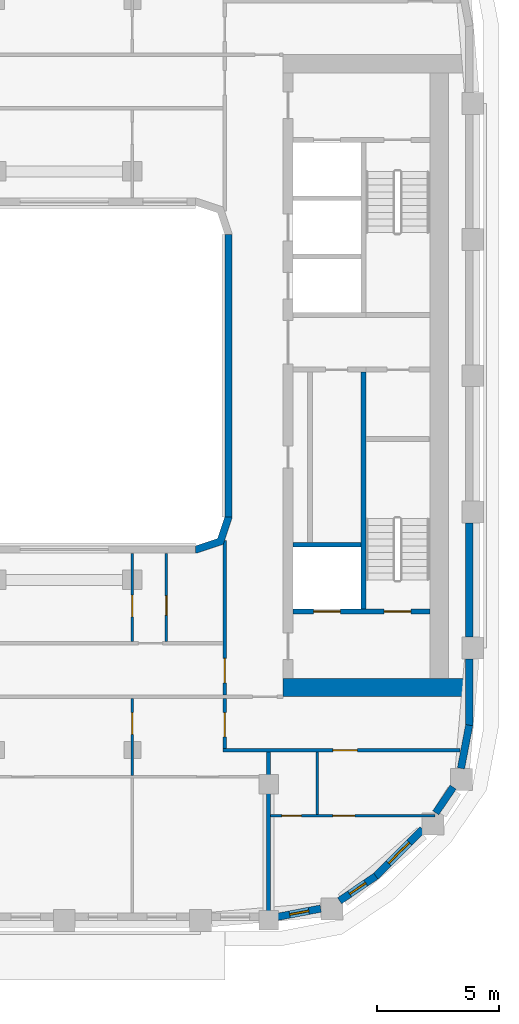
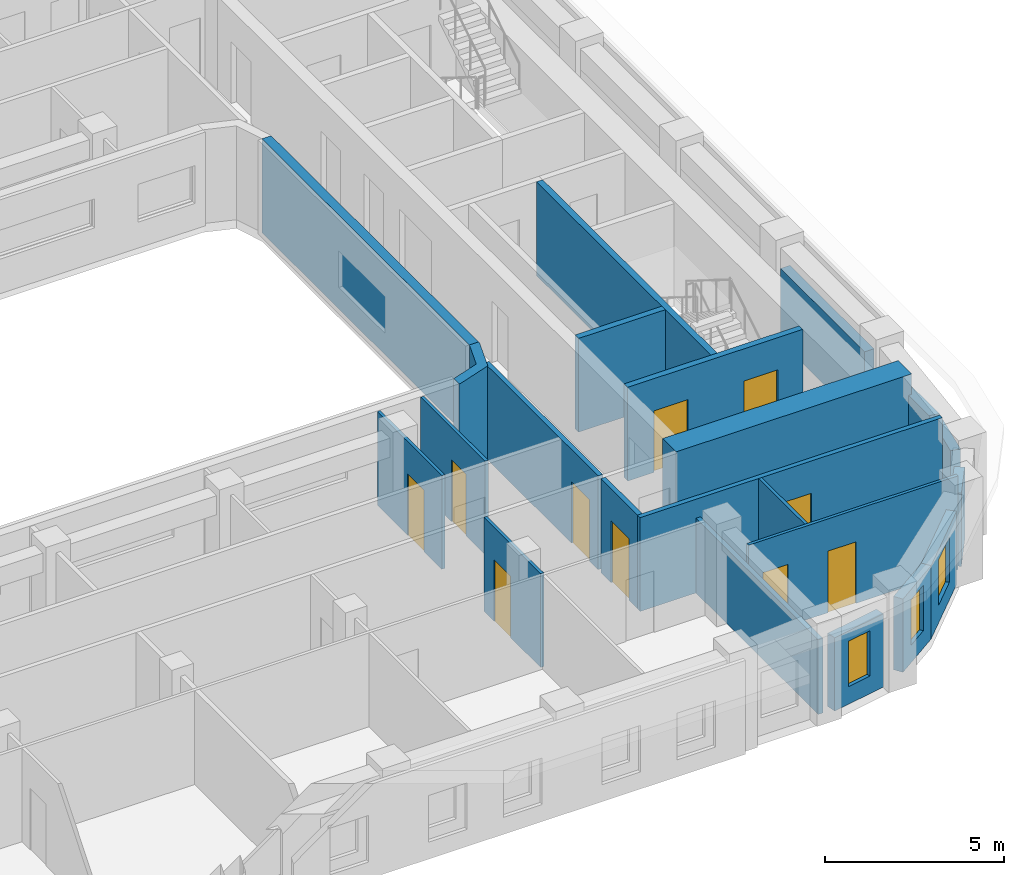
# One storey, part 5 of 20: 22 walls, 10 doors, 3 windows, 13 openings.
"""IFC4 building model written with IfcOpenShell, lengths in metres."""

from ifc_helpers import new_model, si_unit, direction, frame, frame_2d, origin, place, context, subcontext, project, spatial, polyline, rectangle, outline, extrude, material, layer, layer_set, type_object, element, fill, save


model = new_model("IFC4")

# Units and contexts
model_context = context("Model", 3, precision=1e-05, world=origin(), true_north=direction((0.0, 1.0)))
body_context = subcontext(model_context, "Body", "Model", "MODEL_VIEW")
ifc_project = project(units=[si_unit("LENGTHUNIT", "METRE"), si_unit("AREAUNIT", "SQUARE_METRE"), si_unit("VOLUMEUNIT", "CUBIC_METRE"), si_unit("PLANEANGLEUNIT", "RADIAN"), si_unit("MASSUNIT", "GRAM", prefix="KILO")], contexts=[model_context])

# Site, building, storey
site_placement = place(None, origin())
site = spatial("IfcSite", under=ifc_project, at=site_placement, CompositionType="ELEMENT")
building_placement = place(site_placement, origin())
building = spatial("IfcBuilding", under=site, at=building_placement, Name="Kiln Ring Residences", CompositionType="ELEMENT")
storey_placement = place(building_placement, frame((0.0, 0.0, 206.39990234375)))
storey = spatial("IfcBuildingStorey", under=building, at=storey_placement, Name="L53", CompositionType="ELEMENT", Elevation=206.39990234375)

# Walls
ifc_material_1 = material(Name="Gypsum shaft wall system")
ifc_layer_1 = layer(ifc_material_1, 0.199951171875)
ifc_layer_set_1 = layer_set([ifc_layer_1], Name="CORE-SHAFT-WALL-200")
wall_type_1 = type_object("IfcWallType", Name="CORE-SHAFT-WALL-200", PredefinedType="PARTITIONING", material=ifc_layer_set_1)
wall_1_placement = place(storey_placement, frame((17.800048828125, -6.949951171875, 0.0), z_axis=(0.0, 0.0, 1.0), x_axis=(1.0, 0.0, 0.0)))
element("IfcWall", 1, at=wall_1_placement, inside=storey, type_object=wall_type_1, Name="Core partition east L53 3", PredefinedType="PARTITIONING", context=body_context, shape_type="SweptSolid", body=[
    extrude(rectangle(XDim=2.800048828125, YDim=0.199951171875, at=frame_2d((1.39990234375, 0.0))), origin(), (0.0, 0.0, 1.0), 3.2001953125),
])
ifc_material_2 = material(Name="Concrete C40/50", Category="concrete")
ifc_layer_2 = layer(ifc_material_2, 0.199951171875)
ifc_layer_set_2 = layer_set([ifc_layer_2], Name="CORE-WALL-RC200")
wall_type_2 = type_object("IfcWallType", Name="CORE-WALL-RC200", PredefinedType="SHEAR", material=ifc_layer_set_2)
wall_2_placement = place(storey_placement, frame((20.699951171875, -9.60009765625, 0.0), z_axis=(0.0, 0.0, 1.0), x_axis=(0.0, 1.0, 0.0)))
element("IfcWall", 2, at=wall_2_placement, inside=storey, type_object=wall_type_2, Name="Core wall east L53 2", PredefinedType="SHEAR", context=body_context, shape_type="SweptSolid", body=[
    extrude(rectangle(XDim=9.75, YDim=0.199951171875, at=frame_2d((4.875, 0.0))), origin(), (0.0, 0.0, 1.0), 3.2001953125),
])

# Wall, openings, doors
wall_3_placement = place(storey_placement, frame((17.800048828125, -9.699951171875, 0.0), z_axis=(0.0, 0.0, 1.0), x_axis=(1.0, 0.0, 0.0)))
wall_3 = element("IfcWall", 3, at=wall_3_placement, inside=storey, type_object=wall_type_2, Name="Core wall east L53 8", PredefinedType="SHEAR", context=body_context, shape_type="SweptSolid", body=[
    extrude(rectangle(XDim=5.64990234375, YDim=0.199951171875, at=frame_2d((2.824951171875, 0.0))), origin(), (0.0, 0.0, 1.0), 3.2001953125),
])
opening_1_placement = place(wall_3_placement, frame((0.85009765625, 0.0, 0.0)))
opening_1 = element("IfcOpeningElement", 4, at=opening_1_placement, cuts=wall_3, Name="Opening L53-CE01", PredefinedType="OPENING", context=body_context, shape_type="SweptSolid", body=[
    extrude(rectangle(XDim=1.10009765625, YDim=2.10009765625, at=frame_2d((0.550048828125, 1.050048828125))), frame((0.0, 0.10986328125, 0.0), z_axis=(0.0, -1.0, 0.0), x_axis=(1.0, 0.0, 0.0)), (0.0, 0.0, 1.0), 0.219970703125),
])
opening_2_placement = place(wall_3_placement, frame((3.75, 0.0, 0.0)))
opening_2 = element("IfcOpeningElement", 5, at=opening_2_placement, cuts=wall_3, Name="Opening L53-CE10", PredefinedType="OPENING", context=body_context, shape_type="SweptSolid", body=[
    extrude(rectangle(XDim=1.10009765625, YDim=2.10009765625, at=frame_2d((0.550048828125, 1.050048828125))), frame((0.0, 0.10986328125, 0.0), z_axis=(0.0, -1.0, 0.0), x_axis=(1.0, 0.0, 0.0)), (0.0, 0.0, 1.0), 0.219970703125),
])
ifc_material_3 = material(Name="Steel door leaf", Category="steel")
door_type_1 = type_object("IfcDoorType", Name="CORE-DOOR-LD", OperationType="DOUBLE_DOOR_SLIDING", PredefinedType="DOOR", material=ifc_material_3)
door_1_placement = place(opening_1_placement, origin())
door_1 = element("IfcDoor", 6, at=door_1_placement, inside=storey, type_object=door_type_1, Name="LD E-SV L53-CE01", OperationType="DOUBLE_DOOR_SLIDING", OverallHeight=2.10009765625, OverallWidth=1.10009765625, PredefinedType="DOOR", context=body_context, shape_type="SweptSolid", body=[
    extrude(rectangle(XDim=1.10009765625, YDim=2.10009765625, at=frame_2d((0.550048828125, 1.050048828125))), frame((0.0, 0.02490234375, 0.0), z_axis=(0.0, -1.0, 0.0), x_axis=(1.0, 0.0, 0.0)), (0.0, 0.0, 1.0), 0.050048828125),
])
fill(opening_1, door_1)
ifc_material_4 = material(Name="Steel door leaf", Category="steel")
door_type_2 = type_object("IfcDoorType", Name="CORE-DOOR-STAIR", OperationType="SINGLE_SWING_LEFT", PredefinedType="DOOR", material=ifc_material_4)
door_2_placement = place(opening_2_placement, origin())
door_2 = element("IfcDoor", 7, at=door_2_placement, inside=storey, type_object=door_type_2, Name="Stair E-STS L53-CE10", OperationType="SINGLE_SWING_RIGHT", OverallHeight=2.10009765625, OverallWidth=1.10009765625, PredefinedType="DOOR", context=body_context, shape_type="SweptSolid", body=[
    extrude(rectangle(XDim=1.10009765625, YDim=2.10009765625, at=frame_2d((0.550048828125, 1.050048828125))), frame((0.0, 0.02490234375, 0.0), z_axis=(0.0, -1.0, 0.0), x_axis=(1.0, 0.0, 0.0)), (0.0, 0.0, 1.0), 0.050048828125),
])
fill(opening_2, door_2)

# Wall
ifc_material_5 = material(Name="Concrete C60/75", Category="concrete")
ifc_layer_3 = layer(ifc_material_5, 0.75)
ifc_layer_set_3 = layer_set([ifc_layer_3], Name="CORE-WALL-RC750")
wall_type_3 = type_object("IfcWallType", Name="CORE-WALL-RC750", PredefinedType="SHEAR", material=ifc_layer_set_3)
wall_4_placement = place(storey_placement, frame((17.39990234375, -12.824951171875, 0.0), z_axis=(0.0, 0.0, 1.0), x_axis=(1.0, 0.0, 0.0)))
element("IfcWall", 8, at=wall_4_placement, inside=storey, type_object=wall_type_3, Name="Core wall east L53 5", PredefinedType="SHEAR", context=body_context, shape_type="SweptSolid", body=[
    extrude(rectangle(XDim=7.60009765625, YDim=0.75, at=frame_2d((3.800048828125, 0.0))), origin(), (0.0, 0.0, 1.0), 3.2001953125),
])

# Wall, opening, window
ifc_material_6 = material(Name="Brick masonry, dark clay brick", Category="masonry")
ifc_layer_4 = layer(ifc_material_6, 0.300048828125)
ifc_layer_set_4 = layer_set([ifc_layer_4], Name="EW-300 BRICK WALL")
wall_type_4 = type_object("IfcWallType", Name="EW-300 BRICK WALL", PredefinedType="SOLIDWALL", material=ifc_layer_set_4)
wall_5_placement = place(storey_placement, frame((17.178955078125, -22.251220703125, 0.0), z_axis=(0.0, 0.0, 1.0), x_axis=(0.98230529033, 0.187286722942, 0.0)))
wall_5 = element("IfcWall", 9, at=wall_5_placement, inside=storey, type_object=wall_type_4, Name="Facade wall L53 11", PredefinedType="SOLIDWALL", context=body_context, shape_type="SweptSolid", body=[
    extrude(rectangle(XDim=1.798828125, YDim=0.300048828125, at=frame_2d((0.8994140625, 0.0))), origin(), (0.0, 0.0, 1.0), 2.5),
])
opening_3_placement = place(wall_5_placement, frame((0.49951171875, 0.0, 0.60009765625)))
opening_3 = element("IfcOpeningElement", 10, at=opening_3_placement, cuts=wall_5, Name="Opening W5", PredefinedType="OPENING", context=body_context, shape_type="SweptSolid", body=[
    extrude(rectangle(XDim=0.800048828125, YDim=1.550048828125, at=frame_2d((0.39990234375, 0.77490234375))), frame((0.0, 0.159912109375, 0.0), z_axis=(0.0, -1.0, 0.0), x_axis=(1.0, 0.0, 0.0)), (0.0, 0.0, 1.0), 0.320068359375),
])
ifc_material_7 = material(Name="Aluminium frame with double glazing", Category="aluminium")
window_type_1 = type_object("IfcWindowType", Name="WINDOW 800 x 1550", PartitioningType="SINGLE_PANEL", PredefinedType="WINDOW", material=ifc_material_7)
window_1_placement = place(opening_3_placement, origin())
window_1 = element("IfcWindow", 11, at=window_1_placement, inside=storey, type_object=window_type_1, Name="Window L53 14", OverallHeight=1.550048828125, OverallWidth=0.800048828125, PartitioningType="SINGLE_PANEL", PredefinedType="WINDOW", context=body_context, shape_type="SweptSolid", body=[
    extrude(rectangle(XDim=0.800048828125, YDim=1.550048828125, at=frame_2d((0.39990234375, 0.77490234375))), frame((0.0, 0.030029296875, 0.0), z_axis=(0.0, -1.0, 0.0), x_axis=(1.0, 0.0, 0.0)), (0.0, 0.0, 1.0), 0.06005859375),
])
fill(opening_3, window_1)

wall_6_placement = place(storey_placement, frame((19.718994140625, -21.593994140625, 0.0), z_axis=(0.0, 0.0, 1.0), x_axis=(0.827067282455, 0.562102935673, 0.0)))
wall_6 = element("IfcWall", 12, at=wall_6_placement, inside=storey, type_object=wall_type_4, Name="Facade wall L53 12", PredefinedType="SOLIDWALL", context=body_context, shape_type="SweptSolid", body=[
    extrude(rectangle(XDim=1.805908203125, YDim=0.300048828125, at=frame_2d((0.90283203125, 0.0))), origin(), (0.0, 0.0, 1.0), 2.5),
])
opening_4_placement = place(wall_6_placement, frame((0.5029296875, 0.0, 0.60009765625)))
opening_4 = element("IfcOpeningElement", 13, at=opening_4_placement, cuts=wall_6, Name="Opening W5", PredefinedType="OPENING", context=body_context, shape_type="SweptSolid", body=[
    extrude(rectangle(XDim=0.800048828125, YDim=1.550048828125, at=frame_2d((0.39990234375, 0.77490234375))), frame((0.0, 0.159912109375, 0.0), z_axis=(0.0, -1.0, 0.0), x_axis=(1.0, 0.0, 0.0)), (0.0, 0.0, 1.0), 0.320068359375),
])
window_2_placement = place(opening_4_placement, origin())
window_2 = element("IfcWindow", 14, at=window_2_placement, inside=storey, type_object=window_type_1, Name="Window L53 15", OverallHeight=1.550048828125, OverallWidth=0.800048828125, PartitioningType="SINGLE_PANEL", PredefinedType="WINDOW", context=body_context, shape_type="SweptSolid", body=[
    extrude(rectangle(XDim=0.800048828125, YDim=1.550048828125, at=frame_2d((0.39990234375, 0.77490234375))), frame((0.0, 0.030029296875, 0.0), z_axis=(0.0, -1.0, 0.0), x_axis=(1.0, 0.0, 0.0)), (0.0, 0.0, 1.0), 0.06005859375),
])
fill(opening_4, window_2)

wall_7_placement = place(storey_placement, frame((21.19091796875, -20.596923828125, 0.0), z_axis=(0.0, 0.0, 1.0), x_axis=(0.707106781187, 0.707106781187, 0.0)))
wall_7 = element("IfcWall", 15, at=wall_7_placement, inside=storey, type_object=wall_type_4, Name="Facade wall L53 13", PredefinedType="SOLIDWALL", context=body_context, shape_type="SweptSolid", body=[
    extrude(rectangle(XDim=2.75, YDim=0.300048828125, at=frame_2d((1.375, 0.0))), origin(), (0.0, 0.0, 1.0), 2.5),
])
opening_5_placement = place(wall_7_placement, frame((0.77490234375, 0.0, 0.60009765625)))
opening_5 = element("IfcOpeningElement", 16, at=opening_5_placement, cuts=wall_7, Name="Opening W1", PredefinedType="OPENING", context=body_context, shape_type="SweptSolid", body=[
    extrude(rectangle(XDim=1.199951171875, YDim=1.550048828125, at=frame_2d((0.60009765625, 0.77490234375))), frame((0.0, 0.159912109375, 0.0), z_axis=(0.0, -1.0, 0.0), x_axis=(1.0, 0.0, 0.0)), (0.0, 0.0, 1.0), 0.320068359375),
])
ifc_material_8 = material(Name="Aluminium frame with double glazing", Category="aluminium")
window_type_2 = type_object("IfcWindowType", Name="WINDOW 1200 x 1550", PartitioningType="SINGLE_PANEL", PredefinedType="WINDOW", material=ifc_material_8)
window_3_placement = place(opening_5_placement, origin())
window_3 = element("IfcWindow", 17, at=window_3_placement, inside=storey, type_object=window_type_2, Name="Window L53 16", OverallHeight=1.550048828125, OverallWidth=1.199951171875, PartitioningType="SINGLE_PANEL", PredefinedType="WINDOW", context=body_context, shape_type="SweptSolid", body=[
    extrude(rectangle(XDim=1.199951171875, YDim=1.550048828125, at=frame_2d((0.60009765625, 0.77490234375))), frame((0.0, 0.030029296875, 0.0), z_axis=(0.0, -1.0, 0.0), x_axis=(1.0, 0.0, 0.0)), (0.0, 0.0, 1.0), 0.06005859375),
])
fill(opening_5, window_3)

# Walls
wall_8_placement = place(storey_placement, frame((23.67626953125, -17.975341796875, 0.0), z_axis=(0.0, 0.0, 1.0), x_axis=(0.56200149592, 0.827136215253, 0.0)))
element("IfcWall", 18, at=wall_8_placement, inside=storey, type_object=wall_type_4, Name="Facade wall L53 14", PredefinedType="SOLIDWALL", context=body_context, shape_type="SweptSolid", body=[
    extrude(rectangle(XDim=1.277099609375, YDim=0.300048828125, at=frame_2d((0.638671875, 0.0))), origin(), (0.0, 0.0, 1.0), 2.5),
])
wall_9_placement = place(storey_placement, frame((24.71435546875, -16.14599609375, 0.0), z_axis=(0.0, 0.0, 1.0), x_axis=(0.187348135549, 0.982293579388, 0.0)))
element("IfcWall", 19, at=wall_9_placement, inside=storey, type_object=wall_type_4, Name="Facade wall L53 15", PredefinedType="SOLIDWALL", context=body_context, shape_type="SweptSolid", body=[
    extrude(rectangle(XDim=1.80615234375, YDim=0.300048828125, at=frame_2d((0.903076171875, 0.0))), origin(), (0.0, 0.0, 1.0), 2.5),
])
wall_10_placement = place(storey_placement, frame((25.050048828125, -14.39990234375, 0.0), z_axis=(0.0, 0.0, 1.0), x_axis=(0.0, 1.0, 0.0)))
element("IfcWall", 20, at=wall_10_placement, inside=storey, type_object=wall_type_4, Name="Facade wall L53 16", PredefinedType="SOLIDWALL", context=body_context, shape_type="SweptSolid", body=[
    extrude(rectangle(XDim=2.75, YDim=0.300048828125, at=frame_2d((1.375, 0.0))), origin(), (0.0, 0.0, 1.0), 2.5),
])
wall_11_placement = place(storey_placement, frame((25.050048828125, -10.75, 0.0), z_axis=(0.0, 0.0, 1.0), x_axis=(0.0, 1.0, 0.0)))
element("IfcWall", 21, at=wall_11_placement, inside=storey, type_object=wall_type_4, Name="Facade wall L53 17", PredefinedType="SOLIDWALL", context=body_context, shape_type="SweptSolid", body=[
    extrude(rectangle(XDim=4.699951171875, YDim=0.300048828125, at=frame_2d((2.35009765625, 0.0))), origin(), (0.0, 0.0, 1.0), 2.5),
])
wall_12_placement = place(storey_placement, frame((15.14990234375, 5.800048828125, 0.0), z_axis=(0.0, 0.0, 1.0), x_axis=(0.0, -1.0, 0.0)))
element("IfcWall", 22, at=wall_12_placement, inside=storey, type_object=wall_type_4, Name="Facade wall L53 49", PredefinedType="SOLIDWALL", context=body_context, shape_type="SweptSolid", body=[
    extrude(rectangle(XDim=11.60009765625, YDim=0.300048828125, at=frame_2d((5.800048828125, 0.0))), origin(), (0.0, 0.0, 1.0), 3.2001953125),
])
wall_13_placement = place(storey_placement, origin())
element("IfcWall", 23, at=wall_13_placement, inside=storey, type_object=wall_type_4, Name="Corner wall L53 3", PredefinedType="SOLIDWALL", context=body_context, shape_type="SweptSolid", body=[
    extrude(outline(polyline([(14.937255859375, -6.937255859375), (15.300048828125, -5.8486328125), (15.300048828125, -5.800048828125), (15.0, -5.800048828125), (14.699951171875, -6.699951171875), (13.800048828125, -7.0), (13.800048828125, -7.300048828125), (13.8486328125, -7.300048828125), (14.937255859375, -6.937255859375)])), origin(), (0.0, 0.0, 1.0), 3.2001953125),
])

# Wall, openings, doors
ifc_material_9 = material(Name="Gypsum board on steel studs", Category="steel")
ifc_layer_5 = layer(ifc_material_9, 0.10009765625)
ifc_layer_set_5 = layer_set([ifc_layer_5], Name="PARTITION-100")
wall_type_5 = type_object("IfcWallType", Name="PARTITION-100", PredefinedType="PARTITIONING", material=ifc_layer_set_5)
wall_14_placement = place(storey_placement, frame((16.875, -18.10009765625, 0.0), z_axis=(0.0, 0.0, 1.0), x_axis=(1.0, 0.0, 0.0)))
wall_14 = element("IfcWall", 24, at=wall_14_placement, inside=storey, type_object=wall_type_5, Name="Partition 001", PredefinedType="PARTITIONING", context=body_context, shape_type="SweptSolid", body=[
    extrude(rectangle(XDim=6.764892578125, YDim=0.10009765625, at=frame_2d((3.38232421875, 0.0))), origin(), (0.0, 0.0, 1.0), 3.2001953125),
])
opening_6_placement = place(wall_14_placement, frame((0.47509765625, 0.0, 0.0)))
opening_6 = element("IfcOpeningElement", 25, at=opening_6_placement, cuts=wall_14, Name="Opening L53-D058", PredefinedType="OPENING", context=body_context, shape_type="SweptSolid", body=[
    extrude(rectangle(XDim=0.800048828125, YDim=2.10009765625, at=frame_2d((0.39990234375, 1.050048828125))), frame((0.0, 0.06005859375, 0.0), z_axis=(0.0, -1.0, 0.0), x_axis=(1.0, 0.0, 0.0)), (0.0, 0.0, 1.0), 0.1201171875),
])
opening_7_placement = place(wall_14_placement, frame((2.574951171875, 0.0, 0.0)))
opening_7 = element("IfcOpeningElement", 26, at=opening_7_placement, cuts=wall_14, Name="Opening L53-D059", PredefinedType="OPENING", context=body_context, shape_type="SweptSolid", body=[
    extrude(rectangle(XDim=0.89990234375, YDim=2.10009765625, at=frame_2d((0.449951171875, 1.050048828125))), frame((0.0, 0.06005859375, 0.0), z_axis=(0.0, -1.0, 0.0), x_axis=(1.0, 0.0, 0.0)), (0.0, 0.0, 1.0), 0.1201171875),
])
ifc_material_10 = material(Name="Timber door leaf", Category="wood")
door_type_3 = type_object("IfcDoorType", Name="FLAT-DOOR-800-PL", OperationType="SINGLE_SWING_LEFT", PredefinedType="DOOR", material=ifc_material_10)
door_3_placement = place(opening_6_placement, origin())
door_3 = element("IfcDoor", 27, at=door_3_placement, inside=storey, type_object=door_type_3, Name="Door L53-D058", OperationType="SINGLE_SWING_RIGHT", OverallHeight=2.10009765625, OverallWidth=0.800048828125, PredefinedType="DOOR", context=body_context, shape_type="SweptSolid", body=[
    extrude(rectangle(XDim=0.800048828125, YDim=2.10009765625, at=frame_2d((0.39990234375, 1.050048828125))), frame((0.0, 0.02490234375, 0.0), z_axis=(0.0, -1.0, 0.0), x_axis=(1.0, 0.0, 0.0)), (0.0, 0.0, 1.0), 0.050048828125),
])
fill(opening_6, door_3)
ifc_material_11 = material(Name="Timber door leaf", Category="wood")
door_type_4 = type_object("IfcDoorType", Name="FLAT-DOOR-900-PL", OperationType="SINGLE_SWING_LEFT", PredefinedType="DOOR", material=ifc_material_11)
door_4_placement = place(opening_7_placement, origin())
door_4 = element("IfcDoor", 28, at=door_4_placement, inside=storey, type_object=door_type_4, Name="Door L53-D059", OperationType="SINGLE_SWING_LEFT", OverallHeight=2.10009765625, OverallWidth=0.89990234375, PredefinedType="DOOR", context=body_context, shape_type="SweptSolid", body=[
    extrude(rectangle(XDim=0.89990234375, YDim=2.10009765625, at=frame_2d((0.449951171875, 1.050048828125))), frame((0.0, 0.02490234375, 0.0), z_axis=(0.0, -1.0, 0.0), x_axis=(1.0, 0.0, 0.0)), (0.0, 0.0, 1.0), 0.050048828125),
])
fill(opening_7, door_4)

# Wall, opening, door
wall_15_placement = place(storey_placement, frame((11.199951171875, -16.449951171875, 0.0), z_axis=(0.0, 0.0, 1.0), x_axis=(0.0, 1.0, 0.0)))
wall_15 = element("IfcWall", 29, at=wall_15_placement, inside=storey, type_object=wall_type_5, Name="Partition 051", PredefinedType="PARTITIONING", context=body_context, shape_type="SweptSolid", body=[
    extrude(rectangle(XDim=3.175048828125, YDim=0.10009765625, at=frame_2d((1.58740234375, 0.0))), origin(), (0.0, 0.0, 1.0), 3.2001953125),
])
opening_8_placement = place(wall_15_placement, frame((1.698974609375, 0.0, 0.0)))
opening_8 = element("IfcOpeningElement", 30, at=opening_8_placement, cuts=wall_15, Name="Opening L53-D052", PredefinedType="OPENING", context=body_context, shape_type="SweptSolid", body=[
    extrude(rectangle(XDim=0.89990234375, YDim=2.10009765625, at=frame_2d((0.449951171875, 1.050048828125))), frame((0.0, 0.06005859375, 0.0), z_axis=(0.0, -1.0, 0.0), x_axis=(1.0, 0.0, 0.0)), (0.0, 0.0, 1.0), 0.1201171875),
])
door_5_placement = place(opening_8_placement, origin())
door_5 = element("IfcDoor", 31, at=door_5_placement, inside=storey, type_object=door_type_4, Name="Door L53-D052", OperationType="SINGLE_SWING_LEFT", OverallHeight=2.10009765625, OverallWidth=0.89990234375, PredefinedType="DOOR", context=body_context, shape_type="SweptSolid", body=[
    extrude(rectangle(XDim=0.89990234375, YDim=2.10009765625, at=frame_2d((0.449951171875, 1.050048828125))), frame((0.0, 0.02490234375, 0.0), z_axis=(0.0, -1.0, 0.0), x_axis=(1.0, 0.0, 0.0)), (0.0, 0.0, 1.0), 0.050048828125),
])
fill(opening_8, door_5)

wall_16_placement = place(storey_placement, frame((11.199951171875, -10.925048828125, 0.0), z_axis=(0.0, 0.0, 1.0), x_axis=(0.0, 1.0, 0.0)))
wall_16 = element("IfcWall", 32, at=wall_16_placement, inside=storey, type_object=wall_type_5, Name="Partition 052", PredefinedType="PARTITIONING", context=body_context, shape_type="SweptSolid", body=[
    extrude(rectangle(XDim=3.60498046875, YDim=0.10009765625, at=frame_2d((1.802490234375, 0.0))), origin(), (0.0, 0.0, 1.0), 3.2001953125),
])
opening_9_placement = place(wall_16_placement, frame((1.0048828125, 0.0, 0.0)))
opening_9 = element("IfcOpeningElement", 33, at=opening_9_placement, cuts=wall_16, Name="Opening L53-D043", PredefinedType="OPENING", context=body_context, shape_type="SweptSolid", body=[
    extrude(rectangle(XDim=0.89990234375, YDim=2.10009765625, at=frame_2d((0.449951171875, 1.050048828125))), frame((0.0, 0.06005859375, 0.0), z_axis=(0.0, -1.0, 0.0), x_axis=(1.0, 0.0, 0.0)), (0.0, 0.0, 1.0), 0.1201171875),
])
door_6_placement = place(opening_9_placement, origin())
door_6 = element("IfcDoor", 34, at=door_6_placement, inside=storey, type_object=door_type_4, Name="Door L53-D043", OperationType="SINGLE_SWING_RIGHT", OverallHeight=2.10009765625, OverallWidth=0.89990234375, PredefinedType="DOOR", context=body_context, shape_type="SweptSolid", body=[
    extrude(rectangle(XDim=0.89990234375, YDim=2.10009765625, at=frame_2d((0.449951171875, 1.050048828125))), frame((0.0, 0.02490234375, 0.0), z_axis=(0.0, -1.0, 0.0), x_axis=(1.0, 0.0, 0.0)), (0.0, 0.0, 1.0), 0.050048828125),
])
fill(opening_9, door_6)

wall_17_placement = place(storey_placement, frame((12.60009765625, -10.925048828125, 0.0), z_axis=(0.0, 0.0, 1.0), x_axis=(0.0, 1.0, 0.0)))
wall_17 = element("IfcWall", 35, at=wall_17_placement, inside=storey, type_object=wall_type_5, Name="Partition 056", PredefinedType="PARTITIONING", context=body_context, shape_type="SweptSolid", body=[
    extrude(rectangle(XDim=3.60498046875, YDim=0.10009765625, at=frame_2d((1.802490234375, 0.0))), origin(), (0.0, 0.0, 1.0), 3.2001953125),
])
opening_10_placement = place(wall_17_placement, frame((1.075927734375, 0.0, 0.0)))
opening_10 = element("IfcOpeningElement", 36, at=opening_10_placement, cuts=wall_17, Name="Opening L53-D042", PredefinedType="OPENING", context=body_context, shape_type="SweptSolid", body=[
    extrude(rectangle(XDim=0.800048828125, YDim=2.10009765625, at=frame_2d((0.39990234375, 1.050048828125))), frame((0.0, 0.06005859375, 0.0), z_axis=(0.0, -1.0, 0.0), x_axis=(1.0, 0.0, 0.0)), (0.0, 0.0, 1.0), 0.1201171875),
])
door_7_placement = place(opening_10_placement, origin())
door_7 = element("IfcDoor", 37, at=door_7_placement, inside=storey, type_object=door_type_3, Name="Door L53-D042", OperationType="SINGLE_SWING_LEFT", OverallHeight=2.10009765625, OverallWidth=0.800048828125, PredefinedType="DOOR", context=body_context, shape_type="SweptSolid", body=[
    extrude(rectangle(XDim=0.800048828125, YDim=2.10009765625, at=frame_2d((0.39990234375, 1.050048828125))), frame((0.0, 0.02490234375, 0.0), z_axis=(0.0, -1.0, 0.0), x_axis=(1.0, 0.0, 0.0)), (0.0, 0.0, 1.0), 0.050048828125),
])
fill(opening_10, door_7)

# Wall
wall_18_placement = place(storey_placement, frame((18.800048828125, -18.050048828125, 0.0), z_axis=(0.0, 0.0, 1.0), x_axis=(0.0, 1.0, 0.0)))
element("IfcWall", 38, at=wall_18_placement, inside=storey, type_object=wall_type_5, Name="Partition 064", PredefinedType="PARTITIONING", context=body_context, shape_type="SweptSolid", body=[
    extrude(rectangle(XDim=2.574951171875, YDim=0.10009765625, at=frame_2d((1.28759765625, 0.0))), origin(), (0.0, 0.0, 1.0), 3.2001953125),
])

# Wall, opening, door
ifc_material_12 = material(Name="Brick masonry partition", Category="masonry")
ifc_layer_6 = layer(ifc_material_12, 0.14990234375)
ifc_layer_set_6 = layer_set([ifc_layer_6], Name="PARTITION-150-ei60")
wall_type_6 = type_object("IfcWallType", Name="PARTITION-150-ei60", PredefinedType="PARTITIONING", material=ifc_layer_set_6)
wall_19_placement = place(storey_placement, frame((14.925048828125, -15.39990234375, 0.0), z_axis=(0.0, 0.0, 1.0), x_axis=(1.0, 0.0, 0.0)))
wall_19 = element("IfcWall", 39, at=wall_19_placement, inside=storey, type_object=wall_type_6, Name="Partition 004", PredefinedType="PARTITIONING", context=body_context, shape_type="SweptSolid", body=[
    extrude(rectangle(XDim=9.7587890625, YDim=0.14990234375, at=frame_2d((4.87939453125, 0.0))), origin(), (0.0, 0.0, 1.0), 3.2001953125),
])
opening_11_placement = place(wall_19_placement, frame((4.52490234375, 0.0, 0.0)))
opening_11 = element("IfcOpeningElement", 40, at=opening_11_placement, cuts=wall_19, Name="Opening L53-D057", PredefinedType="OPENING", context=body_context, shape_type="SweptSolid", body=[
    extrude(rectangle(XDim=1.0, YDim=2.10009765625, at=frame_2d((0.5, 1.050048828125))), frame((0.0, 0.0849609375, 0.0), z_axis=(0.0, -1.0, 0.0), x_axis=(1.0, 0.0, 0.0)), (0.0, 0.0, 1.0), 0.169921875),
])
ifc_material_13 = material(Name="Steel faced fire door leaf", Category="steel")
door_type_5 = type_object("IfcDoorType", Name="FLAT-DOOR-1000-FR", OperationType="SINGLE_SWING_LEFT", PredefinedType="DOOR", material=ifc_material_13)
door_8_placement = place(opening_11_placement, origin())
door_8 = element("IfcDoor", 41, at=door_8_placement, inside=storey, type_object=door_type_5, Name="Door L53-D057", OperationType="SINGLE_SWING_LEFT", OverallHeight=2.10009765625, OverallWidth=1.0, PredefinedType="DOOR", context=body_context, shape_type="SweptSolid", body=[
    extrude(rectangle(XDim=1.0, YDim=2.10009765625, at=frame_2d((0.5, 1.050048828125))), frame((0.0, 0.02490234375, 0.0), z_axis=(0.0, -1.0, 0.0), x_axis=(1.0, 0.0, 0.0)), (0.0, 0.0, 1.0), 0.050048828125),
])
fill(opening_11, door_8)

wall_20_placement = place(storey_placement, frame((15.0, -15.324951171875, 0.0), z_axis=(0.0, 0.0, 1.0), x_axis=(0.0, 1.0, 0.0)))
wall_20 = element("IfcWall", 42, at=wall_20_placement, inside=storey, type_object=wall_type_6, Name="Partition 058", PredefinedType="PARTITIONING", context=body_context, shape_type="SweptSolid", body=[
    extrude(rectangle(XDim=2.050048828125, YDim=0.14990234375, at=frame_2d((1.02490234375, 0.0))), origin(), (0.0, 0.0, 1.0), 3.2001953125),
])
opening_12_placement = place(wall_20_placement, frame((0.47412109375, 0.0, 0.0)))
opening_12 = element("IfcOpeningElement", 43, at=opening_12_placement, cuts=wall_20, Name="Opening L53-D051", PredefinedType="OPENING", context=body_context, shape_type="SweptSolid", body=[
    extrude(rectangle(XDim=1.0, YDim=2.10009765625, at=frame_2d((0.5, 1.050048828125))), frame((0.0, 0.0849609375, 0.0), z_axis=(0.0, -1.0, 0.0), x_axis=(1.0, 0.0, 0.0)), (0.0, 0.0, 1.0), 0.169921875),
])
door_9_placement = place(opening_12_placement, origin())
door_9 = element("IfcDoor", 44, at=door_9_placement, inside=storey, type_object=door_type_5, Name="Door L53-D051", OperationType="SINGLE_SWING_LEFT", OverallHeight=2.10009765625, OverallWidth=1.0, PredefinedType="DOOR", context=body_context, shape_type="SweptSolid", body=[
    extrude(rectangle(XDim=1.0, YDim=2.10009765625, at=frame_2d((0.5, 1.050048828125))), frame((0.0, 0.02490234375, 0.0), z_axis=(0.0, -1.0, 0.0), x_axis=(1.0, 0.0, 0.0)), (0.0, 0.0, 1.0), 0.050048828125),
])
fill(opening_12, door_9)

wall_21_placement = place(storey_placement, frame((15.0, -13.125, 0.0), z_axis=(0.0, 0.0, 1.0), x_axis=(0.0, 1.0, 0.0)))
wall_21 = element("IfcWall", 45, at=wall_21_placement, inside=storey, type_object=wall_type_6, Name="Partition 059", PredefinedType="PARTITIONING", context=body_context, shape_type="SweptSolid", body=[
    extrude(rectangle(XDim=6.356201171875, YDim=0.14990234375, at=frame_2d((3.17822265625, 0.0))), origin(), (0.0, 0.0, 1.0), 3.2001953125),
])
opening_13_placement = place(wall_21_placement, frame((0.49609375, 0.0, 0.0)))
opening_13 = element("IfcOpeningElement", 46, at=opening_13_placement, cuts=wall_21, Name="Opening L53-D006", PredefinedType="OPENING", context=body_context, shape_type="SweptSolid", body=[
    extrude(rectangle(XDim=1.0, YDim=2.10009765625, at=frame_2d((0.5, 1.050048828125))), frame((0.0, 0.0849609375, 0.0), z_axis=(0.0, -1.0, 0.0), x_axis=(1.0, 0.0, 0.0)), (0.0, 0.0, 1.0), 0.169921875),
])
door_10_placement = place(opening_13_placement, origin())
door_10 = element("IfcDoor", 47, at=door_10_placement, inside=storey, type_object=door_type_5, Name="Door L53-D006", OperationType="SINGLE_SWING_LEFT", OverallHeight=2.10009765625, OverallWidth=1.0, PredefinedType="DOOR", context=body_context, shape_type="SweptSolid", body=[
    extrude(rectangle(XDim=1.0, YDim=2.10009765625, at=frame_2d((0.5, 1.050048828125))), frame((0.0, 0.02490234375, 0.0), z_axis=(0.0, -1.0, 0.0), x_axis=(1.0, 0.0, 0.0)), (0.0, 0.0, 1.0), 0.050048828125),
])
fill(opening_13, door_10)

# Wall
wall_22_placement = place(storey_placement, frame((16.800048828125, -22.31005859375, 0.0), z_axis=(0.0, 0.0, 1.0), x_axis=(0.0, 1.0, 0.0)))
element("IfcWall", 48, at=wall_22_placement, inside=storey, type_object=wall_type_6, Name="Partition 062", PredefinedType="PARTITIONING", context=body_context, shape_type="SweptSolid", body=[
    extrude(rectangle(XDim=6.8349609375, YDim=0.14990234375, at=frame_2d((3.41748046875, 0.0))), origin(), (0.0, 0.0, 1.0), 2.550048828125),
])

save(model, "model.ifc")
